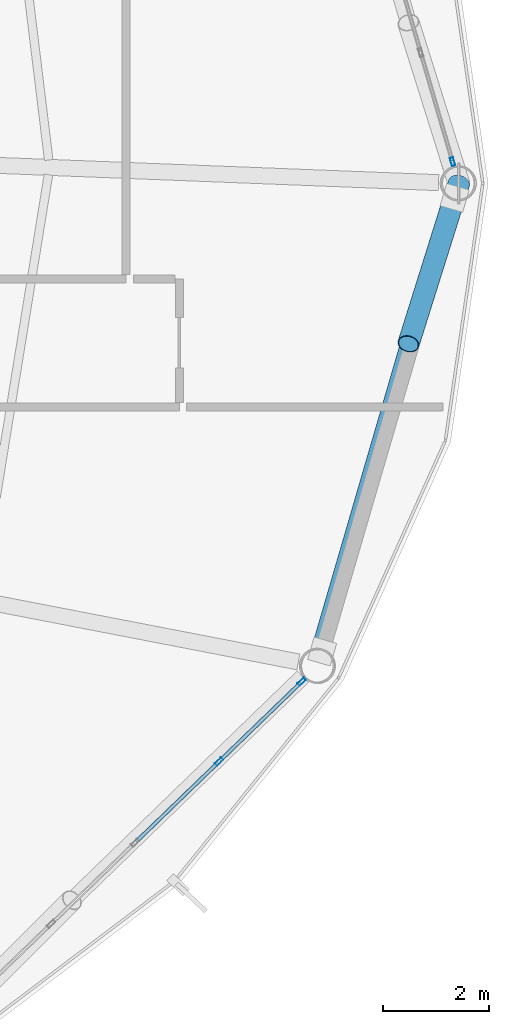
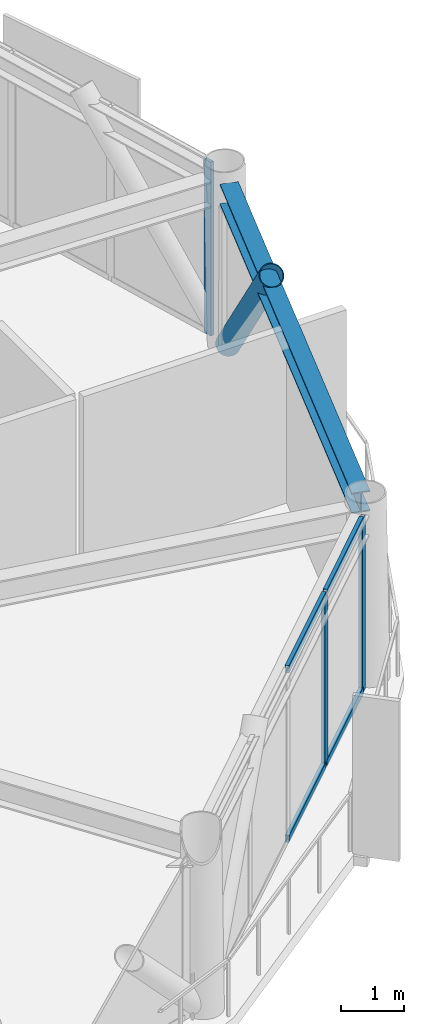
# One storey, part 16 of 28: 8 members, 1 beam, 2 elements without a shape of their own.
"""IFC4 building model written with IfcOpenShell, lengths in metres."""

from ifc_helpers import new_model, si_unit, direction, frame, origin, origin_2d, place, context, subcontext, project, spatial, hollow_rectangle, hollow_circle, i_section, extrude, material, layer, layer_set, material_profile, profile_set, type_object, element, aggregate, save


model = new_model("IFC4")

# Units and contexts
model_context = context("Model", 3, precision=1e-05, world=origin(), true_north=direction((0.0, 1.0)))
body_context = subcontext(model_context, "Body", "Model", "MODEL_VIEW")
ifc_project = project(units=[si_unit("LENGTHUNIT", "METRE"), si_unit("AREAUNIT", "SQUARE_METRE"), si_unit("VOLUMEUNIT", "CUBIC_METRE"), si_unit("PLANEANGLEUNIT", "RADIAN"), si_unit("MASSUNIT", "GRAM", prefix="KILO")], contexts=[model_context])

# Site, building, storey
site_placement = place(None, origin())
site = spatial("IfcSite", under=ifc_project, at=site_placement, CompositionType="ELEMENT")
building_placement = place(site_placement, origin())
building = spatial("IfcBuilding", under=site, at=building_placement, Name="Varnakorn Sky Granary", CompositionType="ELEMENT")
storey_placement = place(building_placement, frame((0.0, 0.0, 225.60009765625)))
storey = spatial("IfcBuildingStorey", under=building, at=storey_placement, Name="L57", CompositionType="ELEMENT", Elevation=225.60009765625)

# Beam
ifc_material_1 = material(Name="Steel S355JR", Category="steel")
ifc_material_profile_1 = material_profile(ifc_material_1, i_section(OverallWidth=0.300048828125, OverallDepth=0.39990234375, WebThickness=0.013427734375, FlangeThickness=0.02392578125, at=origin_2d()), Name="HE 400 B")
ifc_profile_set_1 = profile_set([ifc_material_profile_1], Name="Steel S355JR")
beam_type = type_object("IfcBeamType", Name="BM-SPD-Z4", PredefinedType="SPANDREL", material=ifc_profile_set_1)
beam_placement = place(storey_placement, frame((21.132080078125, -8.751220703125, 3.159912109375), z_axis=(0.27993821383, 0.960018018809, 0.0), x_axis=(-0.960018018809, 0.27993821383, 0.0)))
element("IfcBeam", 1, at=beam_placement, inside=storey, type_object=beam_type, Name="Perimeter Spandrel Ring Beam RB12 L57", PredefinedType="SPANDREL", context=body_context, shape_type="SweptSolid", body=[
    extrude(i_section(OverallWidth=0.300048828125, OverallDepth=0.39990234375, WebThickness=0.013427734375, FlangeThickness=0.02392578125, at=origin_2d()), origin(), (0.0, 0.0, 1.0), 8.800537109375),
])

# Curtain wall, member
ifc_material_2 = material(Name="Anodised Bronze Aluminium Alloy 6063-T6", Category="aluminium")
ifc_layer = layer(ifc_material_2, 0.169921875, Name="Anodised Bronze Aluminium Alloy 6063-T6")
ifc_layer_set = layer_set([ifc_layer], Name="Anodised Bronze Aluminium Alloy 6063-T6")
curtain_wall_type = type_object("IfcCurtainWallType", Name="CW-LAB-1", PredefinedType="USERDEFINED", material=ifc_layer_set)
curtain_wall_1_placement = place(storey_placement, origin())
curtain_wall_1 = element("IfcCurtainWall", 2, at=curtain_wall_1_placement, inside=storey, type_object=curtain_wall_type, Name="Unitised Curtain Wall CW5 CW-L57-B01", ObjectType="CURTAIN WALL", PredefinedType="USERDEFINED")
ifc_material_profile_2 = material_profile(ifc_material_2, hollow_rectangle(XDim=0.06494140625, YDim=0.159912109375, WallThickness=0.00341796875, at=origin_2d()), Name="ALU MULL 65x160")
ifc_profile_set_2 = profile_set([ifc_material_profile_2], Name="Anodised Bronze Aluminium Alloy 6063-T6")
member_type_1 = type_object("IfcMemberType", Name="CW-LAB-1-MULL", PredefinedType="MULLION", material=ifc_profile_set_2)
member_1_placement = place(storey_placement, frame((23.633544921875, 0.405517578125, 0.0), z_axis=(0.0, 0.0, 1.0), x_axis=(0.959890244378, 0.28037603098, 0.0)))
member_1 = element("IfcMember", 3, at=member_1_placement, type_object=member_type_1, Name="CW5 mullion 5", PredefinedType="MULLION", context=body_context, shape_type="SweptSolid", body=[
    extrude(hollow_rectangle(XDim=0.06494140625, YDim=0.159912109375, WallThickness=0.00341796875, at=origin_2d()), origin(), (0.0, 0.0, 1.0), 3.35986328125),
])
aggregate(curtain_wall_1, [member_1])

# Curtain wall, members
curtain_wall_2_placement = place(storey_placement, origin())
curtain_wall_2 = element("IfcCurtainWall", 4, at=curtain_wall_2_placement, inside=storey, type_object=curtain_wall_type, Name="Unitised Curtain Wall CW5 CW-L57-B11", ObjectType="CURTAIN WALL", PredefinedType="USERDEFINED")
member_2_placement = place(storey_placement, frame((20.798828125, -9.3642578125, 0.0), z_axis=(0.0, 0.0, 1.0), x_axis=(0.695009134591, -0.719000906004, 0.0)))
member_2 = element("IfcMember", 5, at=member_2_placement, type_object=member_type_1, Name="CW5 mullion 1", PredefinedType="MULLION", context=body_context, shape_type="SweptSolid", body=[
    extrude(hollow_rectangle(XDim=0.06494140625, YDim=0.159912109375, WallThickness=0.00341796875, at=origin_2d()), origin(), (0.0, 0.0, 1.0), 3.35986328125),
])
member_3_placement = place(storey_placement, frame((19.2451171875, -10.865966796875, 0.0), z_axis=(0.0, 0.0, 1.0), x_axis=(0.695009134591, -0.719000906004, 0.0)))
member_3 = element("IfcMember", 6, at=member_3_placement, type_object=member_type_1, Name="CW5 mullion 2", PredefinedType="MULLION", context=body_context, shape_type="SweptSolid", body=[
    extrude(hollow_rectangle(XDim=0.06494140625, YDim=0.159912109375, WallThickness=0.00341796875, at=origin_2d()), origin(), (0.0, 0.0, 1.0), 3.35986328125),
])
ifc_material_profile_3 = material_profile(ifc_material_2, hollow_rectangle(XDim=0.070068359375, YDim=0.139892578125, WallThickness=0.00341796875, at=origin_2d()), Name="ALU TRAN 70x140")
ifc_profile_set_3 = profile_set([ifc_material_profile_3], Name="Anodised Bronze Aluminium Alloy 6063-T6")
member_type_2 = type_object("IfcMemberType", Name="CW-LAB-1-TRAN", PredefinedType="USERDEFINED", material=ifc_profile_set_3)
member_4_placement = place(storey_placement, frame((20.775634765625, -9.38671875, 0.034912109375), z_axis=(-0.71900195689, -0.695008047427, 0.0), x_axis=(0.695008047427, -0.71900195689, 0.0)))
member_4 = element("IfcMember", 7, at=member_4_placement, type_object=member_type_2, Name="CW5 transom 1.1", ObjectType="TRANSOM", PredefinedType="USERDEFINED", context=body_context, shape_type="SweptSolid", body=[
    extrude(hollow_rectangle(XDim=0.070068359375, YDim=0.139892578125, WallThickness=0.00341796875, at=origin_2d()), origin(), (0.0, 0.0, 1.0), 2.09619140625),
])
member_5_placement = place(storey_placement, frame((20.775634765625, -9.38671875, 3.324951171875), z_axis=(-0.71900195689, -0.695008047427, 0.0), x_axis=(0.695008047427, -0.71900195689, 0.0)))
member_5 = element("IfcMember", 8, at=member_5_placement, type_object=member_type_2, Name="CW5 transom 1.2", ObjectType="TRANSOM", PredefinedType="USERDEFINED", context=body_context, shape_type="SweptSolid", body=[
    extrude(hollow_rectangle(XDim=0.070068359375, YDim=0.139892578125, WallThickness=0.00341796875, at=origin_2d()), origin(), (0.0, 0.0, 1.0), 2.09619140625),
])
member_6_placement = place(storey_placement, frame((19.221923828125, -10.888671875, 0.034912109375), z_axis=(-0.719047600515, -0.694960824935, 0.0), x_axis=(0.694960824935, -0.719047600515, 0.0)))
member_6 = element("IfcMember", 9, at=member_6_placement, type_object=member_type_2, Name="CW5 transom 2.1", ObjectType="TRANSOM", PredefinedType="USERDEFINED", context=body_context, shape_type="SweptSolid", body=[
    extrude(hollow_rectangle(XDim=0.070068359375, YDim=0.139892578125, WallThickness=0.00341796875, at=origin_2d()), origin(), (0.0, 0.0, 1.0), 2.12841796875),
])
member_7_placement = place(storey_placement, frame((19.221923828125, -10.888671875, 3.324951171875), z_axis=(-0.719047600515, -0.694960824935, 0.0), x_axis=(0.694960824935, -0.719047600515, 0.0)))
member_7 = element("IfcMember", 10, at=member_7_placement, type_object=member_type_2, Name="CW5 transom 2.2", ObjectType="TRANSOM", PredefinedType="USERDEFINED", context=body_context, shape_type="SweptSolid", body=[
    extrude(hollow_rectangle(XDim=0.070068359375, YDim=0.139892578125, WallThickness=0.00341796875, at=origin_2d()), origin(), (0.0, 0.0, 1.0), 2.12841796875),
])
aggregate(curtain_wall_2, [member_2, member_3, member_4, member_5, member_6, member_7])

# Member
ifc_material_3 = material(Name="Steel S460M", Category="steel")
ifc_material_profile_4 = material_profile(ifc_material_3, hollow_circle(Radius=0.203125, WallThickness=0.01611328125, at=origin_2d()), Name="CHS 406.4x16")
ifc_profile_set_4 = profile_set([ifc_material_profile_4], Name="Steel S460M")
member_type_3 = type_object("IfcMemberType", Name="MB-DIAG-T4", PredefinedType="BRACE", material=ifc_profile_set_4)
member_8_placement = place(storey_placement, frame((23.751953125, 0.0, 0.0), z_axis=(-0.201264927478, -0.640699399577, 0.74094312086), x_axis=(0.954035337323, -0.299694135978, 0.0)))
element("IfcMember", 11, at=member_8_placement, inside=storey, type_object=member_type_3, Name="Perimeter CHS Diagrid Brace DG12 L57", PredefinedType="BRACE", context=body_context, shape_type="SweptSolid", body=[
    extrude(hollow_circle(Radius=0.203125, WallThickness=0.01611328125, at=origin_2d()), origin(), (0.0, 0.0, 1.0), 4.710205078125),
])

save(model, "model.ifc")
